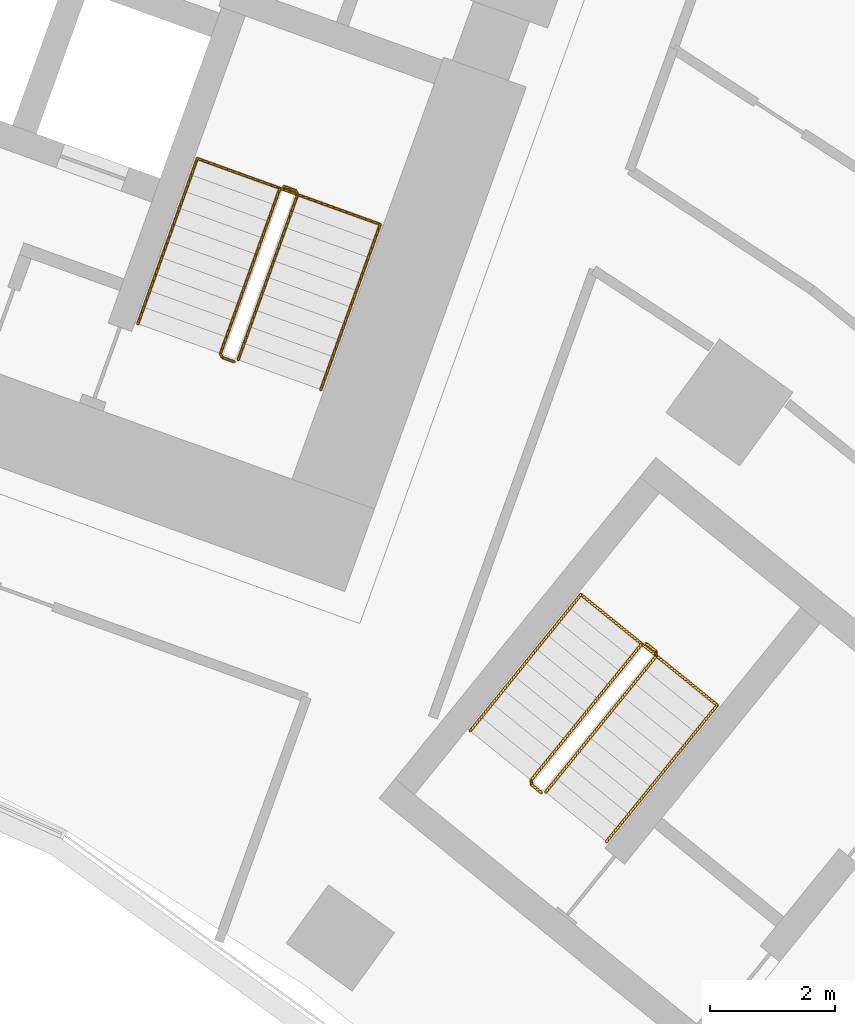
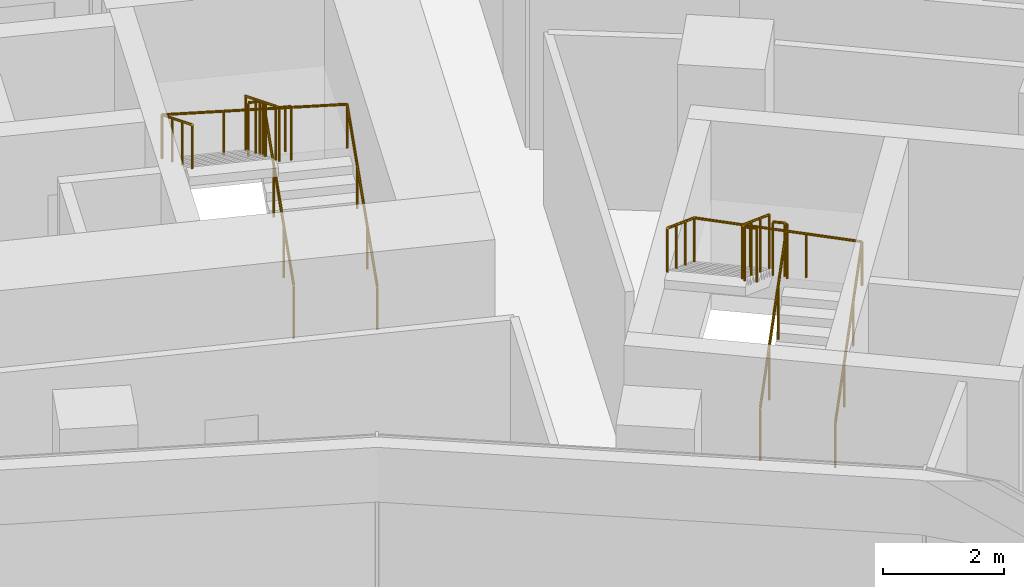
# One storey, part 21 of 21: 6 railings.
"""IFC4 building model written with IfcOpenShell, lengths in metres."""

from ifc_helpers import new_model, si_unit, direction, frame, origin, origin_2d, place, context, subcontext, project, spatial, circle, extrude, material, type_object, element, save


model = new_model("IFC4")

# Units and contexts
model_context = context("Model", 3, precision=1e-05, world=origin(), true_north=direction((0.0, 1.0)))
body_context = subcontext(model_context, "Body", "Model", "MODEL_VIEW")
ifc_project = project(units=[si_unit("LENGTHUNIT", "METRE"), si_unit("AREAUNIT", "SQUARE_METRE"), si_unit("VOLUMEUNIT", "CUBIC_METRE"), si_unit("PLANEANGLEUNIT", "RADIAN"), si_unit("MASSUNIT", "GRAM", prefix="KILO")], contexts=[model_context])

# Site, building, storey
site_placement = place(None, origin())
site = spatial("IfcSite", under=ifc_project, at=site_placement, CompositionType="ELEMENT")
building_placement = place(site_placement, origin())
building = spatial("IfcBuilding", under=site, at=building_placement, Name="Stone Belt Terrace Tower", CompositionType="ELEMENT")
storey_placement = place(building_placement, frame((0.0, 0.0, 87.0)))
storey = spatial("IfcBuildingStorey", under=building, at=storey_placement, Name="L20", CompositionType="ELEMENT", Elevation=87.0)

# Railings
ifc_material = material(Name="Structural steel C345", Category="steel")
railing_type_1 = type_object("IfcRailingType", Name="Stair guard 1100", PredefinedType="GUARDRAIL", material=ifc_material)
railing_1_placement = place(storey_placement, frame((24.494140625, 45.174560546875, 0.172607421875)))
element("IfcRailing", 1, at=railing_1_placement, inside=storey, type_object=railing_type_1, Name="L20 ST1B stair guard 1", PredefinedType="GUARDRAIL", context=body_context, shape_type="SweptSolid", body=[
    extrude(circle(Radius=0.02392578125, at=origin_2d()), frame((0.0, 0.0, 1.076171875), z_axis=(0.288228637646, 0.800791768495, 0.525030280985), x_axis=(-0.940908529223, 0.338660803216, 0.0)), (0.0, 0.0, 1.0), 3.289794921875),
    extrude(circle(Radius=0.02392578125, at=origin_2d()), frame((0.9482421875, 2.634521484375, 2.80322265625), z_axis=(-0.424964916, 0.905209821074, 0.0), x_axis=(-0.905209821074, -0.424964916, 0.0)), (0.0, 0.0, 1.0), 0.070556640625),
    extrude(circle(Radius=0.02392578125, at=origin_2d()), frame((0.918212890625, 2.698486328125, 2.80322265625), z_axis=(-0.941105063269, 0.338114270461, 0.0), x_axis=(-0.338114270461, -0.941105063269, 0.0)), (0.0, 0.0, 1.0), 0.199951171875),
    extrude(circle(Radius=0.02099609375, at=origin_2d()), origin(), (0.0, 0.0, 1.0), 1.052001953125),
    extrude(circle(Radius=0.02099609375, at=origin_2d()), frame((0.316162109375, 0.878173828125, 0.57568359375)), (0.0, 0.0, 1.0), 1.052001953125),
    extrude(circle(Radius=0.02099609375, at=origin_2d()), frame((0.632080078125, 1.75634765625, 1.151611328125)), (0.0, 0.0, 1.0), 1.052001953125),
    extrude(circle(Radius=0.02099609375, at=origin_2d()), frame((0.9482421875, 2.634521484375, 1.727294921875)), (0.0, 0.0, 1.0), 1.052001953125),
    extrude(circle(Radius=0.02099609375, at=origin_2d()), frame((0.918212890625, 2.698486328125, 1.727294921875)), (0.0, 0.0, 1.0), 1.052001953125),
    extrude(circle(Radius=0.02099609375, at=origin_2d()), frame((0.72998046875, 2.76611328125, 1.727294921875)), (0.0, 0.0, 1.0), 1.052001953125),
])
railing_2_placement = place(storey_placement, frame((25.16015625, 47.91064453125, 2.07275390625)))
element("IfcRailing", 2, at=railing_2_placement, inside=storey, type_object=railing_type_1, Name="L20 ST1B stair guard 2", PredefinedType="GUARDRAIL", context=body_context, shape_type="SweptSolid", body=[
    extrude(circle(Radius=0.02392578125, at=origin_2d()), frame((0.0, 0.0, 1.076171875), z_axis=(-0.288228637646, -0.800791768495, 0.525030280985), x_axis=(0.940908529223, -0.338660803216, 0.0)), (0.0, 0.0, 1.0), 3.289794921875),
    extrude(circle(Radius=0.02392578125, at=origin_2d()), frame((-0.9482421875, -2.634521484375, 2.80322265625), z_axis=(0.427789722475, -0.903878284585, 0.0), x_axis=(0.903878284585, 0.427789722475, 0.0)), (0.0, 0.0, 1.0), 0.07080078125),
    extrude(circle(Radius=0.02392578125, at=origin_2d()), frame((-0.91796875, -2.698486328125, 2.80322265625), z_axis=(0.940575576748, -0.339584429008, 0.0), x_axis=(0.339584429008, 0.940575576748, 0.0)), (0.0, 0.0, 1.0), 0.199951171875),
    extrude(circle(Radius=0.02099609375, at=origin_2d()), origin(), (0.0, 0.0, 1.0), 1.052001953125),
    extrude(circle(Radius=0.02099609375, at=origin_2d()), frame((-0.316162109375, -0.878173828125, 0.57568359375)), (0.0, 0.0, 1.0), 1.052001953125),
    extrude(circle(Radius=0.02099609375, at=origin_2d()), frame((-0.632080078125, -1.75634765625, 1.151611328125)), (0.0, 0.0, 1.0), 1.052001953125),
    extrude(circle(Radius=0.02099609375, at=origin_2d()), frame((-0.9482421875, -2.634521484375, 1.727294921875)), (0.0, 0.0, 1.0), 1.052001953125),
    extrude(circle(Radius=0.02099609375, at=origin_2d()), frame((-0.91796875, -2.698486328125, 1.727294921875)), (0.0, 0.0, 1.0), 1.052001953125),
    extrude(circle(Radius=0.02099609375, at=origin_2d()), frame((-0.72998046875, -2.766357421875, 1.727294921875)), (0.0, 0.0, 1.0), 1.052001953125),
])
railing_3_placement = place(storey_placement, frame((29.39794921875, 38.281982421875, 0.172607421875)))
element("IfcRailing", 3, at=railing_3_placement, inside=storey, type_object=railing_type_1, Name="L20 ST3B stair guard 1", PredefinedType="GUARDRAIL", context=body_context, shape_type="SweptSolid", body=[
    extrude(circle(Radius=0.02392578125, at=origin_2d()), frame((0.0, 0.0, 1.076171875), z_axis=(0.536393061503, 0.660769759217, 0.525038864158), x_axis=(-0.776391310223, 0.630251166924, 0.0)), (0.0, 0.0, 1.0), 3.289794921875),
    extrude(circle(Radius=0.02392578125, at=origin_2d()), frame((1.7646484375, 2.173828125, 2.80322265625), z_axis=(-0.103251414163, 0.994655289773, 0.0), x_axis=(-0.994655289773, -0.103251414163, 0.0)), (0.0, 0.0, 1.0), 0.071044921875),
    extrude(circle(Radius=0.02392578125, at=origin_2d()), frame((1.75732421875, 2.244384765625, 2.80322265625), z_axis=(-0.776561986372, 0.630040856868, 0.0), x_axis=(-0.630040856868, -0.776561986372, 0.0)), (0.0, 0.0, 1.0), 0.199951171875),
    extrude(circle(Radius=0.02099609375, at=origin_2d()), origin(), (0.0, 0.0, 1.0), 1.052001953125),
    extrude(circle(Radius=0.02099609375, at=origin_2d()), frame((0.588134765625, 0.724609375, 0.57568359375)), (0.0, 0.0, 1.0), 1.052001953125),
    extrude(circle(Radius=0.02099609375, at=origin_2d()), frame((1.176513671875, 1.44921875, 1.151611328125)), (0.0, 0.0, 1.0), 1.052001953125),
    extrude(circle(Radius=0.02099609375, at=origin_2d()), frame((1.7646484375, 2.173828125, 1.727294921875)), (0.0, 0.0, 1.0), 1.052001953125),
    extrude(circle(Radius=0.02099609375, at=origin_2d()), frame((1.75732421875, 2.244384765625, 1.727294921875)), (0.0, 0.0, 1.0), 1.052001953125),
    extrude(circle(Radius=0.02099609375, at=origin_2d()), frame((1.60205078125, 2.370361328125, 1.727294921875)), (0.0, 0.0, 1.0), 1.052001953125),
])
railing_4_placement = place(storey_placement, frame((30.9296875, 40.64501953125, 2.07275390625)))
element("IfcRailing", 4, at=railing_4_placement, inside=storey, type_object=railing_type_1, Name="L20 ST3B stair guard 2", PredefinedType="GUARDRAIL", context=body_context, shape_type="SweptSolid", body=[
    extrude(circle(Radius=0.02392578125, at=origin_2d()), frame((0.0, 0.0, 1.076171875), z_axis=(-0.536366759382, -0.660811565066, 0.525013118792), x_axis=(0.776425942316, -0.630208502084, 0.0)), (0.0, 0.0, 1.0), 3.2900390625),
    extrude(circle(Radius=0.02392578125, at=origin_2d()), frame((-1.7646484375, -2.174072265625, 2.80322265625), z_axis=(0.103606084259, -0.994618408891, 0.0), x_axis=(0.994618408891, 0.103606084259, 0.0)), (0.0, 0.0, 1.0), 0.07080078125),
    extrude(circle(Radius=0.02392578125, at=origin_2d()), frame((-1.75732421875, -2.244384765625, 2.80322265625), z_axis=(0.776561986372, -0.630040856868, 0.0), x_axis=(0.630040856868, 0.776561986372, 0.0)), (0.0, 0.0, 1.0), 0.199951171875),
    extrude(circle(Radius=0.02099609375, at=origin_2d()), origin(), (0.0, 0.0, 1.0), 1.052001953125),
    extrude(circle(Radius=0.02099609375, at=origin_2d()), frame((-0.588134765625, -0.724609375, 0.57568359375)), (0.0, 0.0, 1.0), 1.052001953125),
    extrude(circle(Radius=0.02099609375, at=origin_2d()), frame((-1.176513671875, -1.449462890625, 1.151611328125)), (0.0, 0.0, 1.0), 1.052001953125),
    extrude(circle(Radius=0.02099609375, at=origin_2d()), frame((-1.7646484375, -2.174072265625, 1.727294921875)), (0.0, 0.0, 1.0), 1.052001953125),
    extrude(circle(Radius=0.02099609375, at=origin_2d()), frame((-1.75732421875, -2.244384765625, 1.727294921875)), (0.0, 0.0, 1.0), 1.052001953125),
    extrude(circle(Radius=0.02099609375, at=origin_2d()), frame((-1.60205078125, -2.370361328125, 1.727294921875)), (0.0, 0.0, 1.0), 1.052001953125),
])
railing_type_2 = type_object("IfcRailingType", Name="Stair handrail 900", PredefinedType="HANDRAIL", material=ifc_material)
railing_5_placement = place(storey_placement, frame((25.8115234375, 44.700439453125, 0.172607421875)))
element("IfcRailing", 5, at=railing_5_placement, inside=storey, type_object=railing_type_2, Name="L20 ST1B stair handrail 1", PredefinedType="HANDRAIL", context=body_context, shape_type="SweptSolid", body=[
    extrude(circle(Radius=0.02392578125, at=origin_2d()), frame((0.0, 0.0, 0.8759765625), z_axis=(0.288228637646, 0.800791768495, 0.525030280985), x_axis=(-0.940908529223, 0.338660803216, 0.0)), (0.0, 0.0, 1.0), 3.289794921875),
    extrude(circle(Radius=0.02392578125, at=origin_2d()), frame((0.9482421875, 2.634521484375, 2.60302734375), z_axis=(-0.939460408074, 0.338105101667, 0.055669398135), x_axis=(-0.338630230244, -0.940919532779, 0.0)), (0.0, 0.0, 1.0), 3.10498046875),
    extrude(circle(Radius=0.02392578125, at=origin_2d()), frame((-1.96875, 3.684326171875, 2.77587890625), z_axis=(-0.288160591223, -0.800808895155, 0.52504150989), x_axis=(0.940936311087, -0.338583606334, 0.0)), (0.0, 0.0, 1.0), 3.289794921875),
    extrude(circle(Radius=0.02099609375, at=origin_2d()), origin(), (0.0, 0.0, 1.0), 0.851806640625),
    extrude(circle(Radius=0.02099609375, at=origin_2d()), frame((0.316162109375, 0.878173828125, 0.57568359375)), (0.0, 0.0, 1.0), 0.851806640625),
    extrude(circle(Radius=0.02099609375, at=origin_2d()), frame((0.632080078125, 1.75634765625, 1.151611328125)), (0.0, 0.0, 1.0), 0.851806640625),
    extrude(circle(Radius=0.02099609375, at=origin_2d()), frame((0.9482421875, 2.634521484375, 1.727294921875)), (0.0, 0.0, 1.0), 0.851806640625),
    extrude(circle(Radius=0.02099609375, at=origin_2d()), frame((-0.024169921875, 2.984375, 1.784912109375)), (0.0, 0.0, 1.0), 0.851806640625),
    extrude(circle(Radius=0.02099609375, at=origin_2d()), frame((-0.996337890625, 3.33447265625, 1.842529296875)), (0.0, 0.0, 1.0), 0.851806640625),
    extrude(circle(Radius=0.02099609375, at=origin_2d()), frame((-1.96875, 3.684326171875, 1.900146484375)), (0.0, 0.0, 1.0), 0.851806640625),
    extrude(circle(Radius=0.02099609375, at=origin_2d()), frame((-2.28466796875, 2.80615234375, 2.475830078125)), (0.0, 0.0, 1.0), 0.851806640625),
    extrude(circle(Radius=0.02099609375, at=origin_2d()), frame((-2.600830078125, 1.927978515625, 3.0517578125)), (0.0, 0.0, 1.0), 0.851806640625),
    extrude(circle(Radius=0.02099609375, at=origin_2d()), frame((-2.916748046875, 1.0498046875, 3.62744140625)), (0.0, 0.0, 1.0), 0.851806640625),
])
railing_6_placement = place(storey_placement, frame((30.36865234375, 37.494140625, 0.172607421875)))
element("IfcRailing", 6, at=railing_6_placement, inside=storey, type_object=railing_type_2, Name="L20 ST3B stair handrail 1", PredefinedType="HANDRAIL", context=body_context, shape_type="SweptSolid", body=[
    extrude(circle(Radius=0.02392578125, at=origin_2d()), frame((0.0, 0.0, 0.8759765625), z_axis=(0.536366759382, 0.660811565066, 0.525013118792), x_axis=(-0.776425942316, 0.630208502084, 0.0)), (0.0, 0.0, 1.0), 3.2900390625),
    extrude(circle(Radius=0.02392578125, at=origin_2d()), frame((1.7646484375, 2.174072265625, 2.60302734375), z_axis=(-0.774950814199, 0.629011171817, 0.061613158501), x_axis=(-0.630208502084, -0.776425942316, 0.0)), (0.0, 0.0, 1.0), 2.805419921875),
    extrude(circle(Radius=0.02392578125, at=origin_2d()), frame((-0.409423828125, 3.938720703125, 2.77587890625), z_axis=(-0.536366759382, -0.660811565066, 0.525013118792), x_axis=(0.776425942316, -0.630208502084, 0.0)), (0.0, 0.0, 1.0), 3.2900390625),
    extrude(circle(Radius=0.02099609375, at=origin_2d()), origin(), (0.0, 0.0, 1.0), 0.851806640625),
    extrude(circle(Radius=0.02099609375, at=origin_2d()), frame((0.588134765625, 0.724609375, 0.57568359375)), (0.0, 0.0, 1.0), 0.851806640625),
    extrude(circle(Radius=0.02099609375, at=origin_2d()), frame((1.176513671875, 1.449462890625, 1.151611328125)), (0.0, 0.0, 1.0), 0.851806640625),
    extrude(circle(Radius=0.02099609375, at=origin_2d()), frame((1.7646484375, 2.174072265625, 1.727294921875)), (0.0, 0.0, 1.0), 0.851806640625),
    extrude(circle(Radius=0.02099609375, at=origin_2d()), frame((1.0400390625, 2.76220703125, 1.784912109375)), (0.0, 0.0, 1.0), 0.851806640625),
    extrude(circle(Radius=0.02099609375, at=origin_2d()), frame((0.315185546875, 3.3505859375, 1.842529296875)), (0.0, 0.0, 1.0), 0.851806640625),
    extrude(circle(Radius=0.02099609375, at=origin_2d()), frame((-0.409423828125, 3.938720703125, 1.900146484375)), (0.0, 0.0, 1.0), 0.851806640625),
    extrude(circle(Radius=0.02099609375, at=origin_2d()), frame((-0.99755859375, 3.214111328125, 2.475830078125)), (0.0, 0.0, 1.0), 0.851806640625),
    extrude(circle(Radius=0.02099609375, at=origin_2d()), frame((-1.5859375, 2.4892578125, 3.0517578125)), (0.0, 0.0, 1.0), 0.851806640625),
    extrude(circle(Radius=0.02099609375, at=origin_2d()), frame((-2.174072265625, 1.7646484375, 3.62744140625)), (0.0, 0.0, 1.0), 0.851806640625),
])

save(model, "model.ifc")
